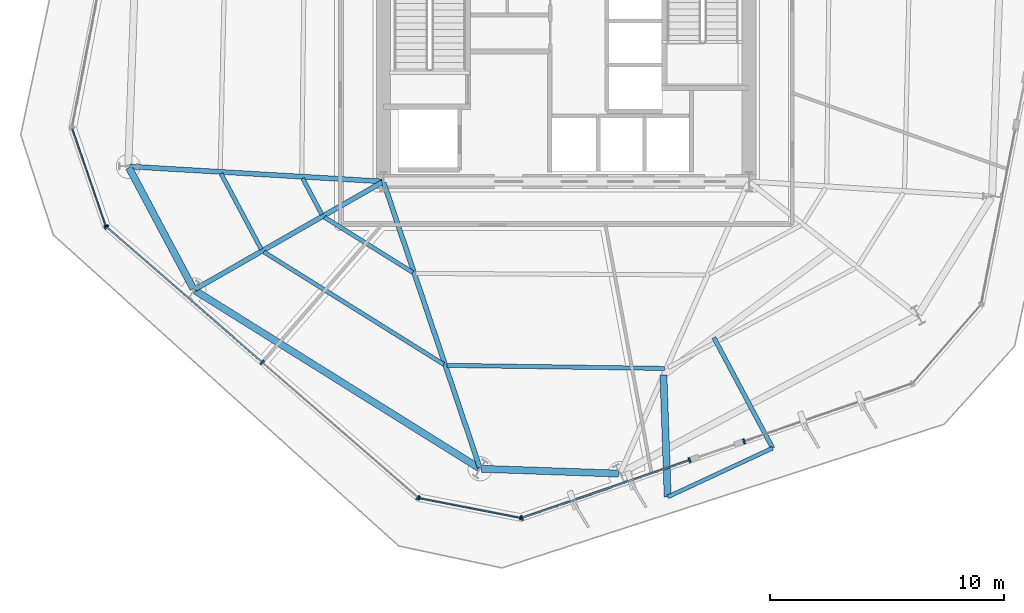
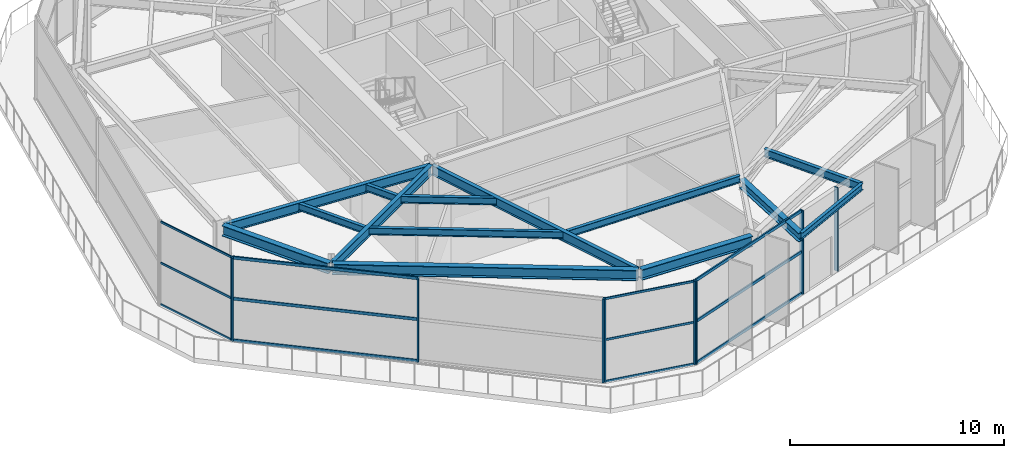
# One storey, part 2 of 16: 21 members, 14 beams, 5 elements without a shape of their own.
"""IFC4 building model written with IfcOpenShell, lengths in metres."""

from ifc_helpers import new_model, si_unit, direction, frame, origin, origin_2d, place, context, subcontext, project, spatial, rectangle, i_section, extrude, material, layer, layer_set, material_profile, profile_set, type_object, element, aggregate, save


model = new_model("IFC4")

# Units and contexts
model_context = context("Model", 3, precision=1e-05, world=origin(), true_north=direction((0.0, 1.0)))
body_context = subcontext(model_context, "Body", "Model", "MODEL_VIEW")
ifc_project = project(units=[si_unit("LENGTHUNIT", "METRE"), si_unit("AREAUNIT", "SQUARE_METRE"), si_unit("VOLUMEUNIT", "CUBIC_METRE"), si_unit("PLANEANGLEUNIT", "RADIAN"), si_unit("MASSUNIT", "GRAM", prefix="KILO")], contexts=[model_context])

# Site, building, storey
site_placement = place(None, origin())
site = spatial("IfcSite", under=ifc_project, at=site_placement, CompositionType="ELEMENT")
building_placement = place(site_placement, origin())
building = spatial("IfcBuilding", under=site, at=building_placement, Name="Kranzbogen Civic Tower", CompositionType="ELEMENT")
storey_placement = place(building_placement, frame((0.0, 0.0, 97.39990234375)))
storey = spatial("IfcBuildingStorey", under=building, at=storey_placement, Name="L23", CompositionType="ELEMENT", Elevation=97.39990234375)

# Beam
ifc_material_1 = material(Name="Steel S355", Category="steel")
ifc_material_profile_1 = material_profile(ifc_material_1, i_section(OverallWidth=0.18994140625, OverallDepth=0.449951171875, WebThickness=0.009521484375, FlangeThickness=0.0146484375, at=origin_2d()), Name="IPE 450")
ifc_profile_set_1 = profile_set([ifc_material_profile_1], Name="Steel S355")
beam_type_1 = type_object("IfcBeamType", Name="Braced Terrace Edge Beam IPE 450", PredefinedType="BEAM", material=ifc_profile_set_1)
beam_1_placement = place(storey_placement, frame((31.30810546875, 11.139892578125, 4.525146484375), z_axis=(0.469514549434, -0.88292473511, 0.0), x_axis=(0.88292473511, 0.469514549434, 0.0)))
element("IfcBeam", 1, at=beam_1_placement, inside=storey, type_object=beam_type_1, Name="L24 back-spanned terrace beam L24-TB1-2", PredefinedType="BEAM", context=body_context, shape_type="SweptSolid", body=[
    extrude(i_section(OverallWidth=0.18994140625, OverallDepth=0.449951171875, WebThickness=0.009521484375, FlangeThickness=0.0146484375, at=origin_2d()), origin(), (0.0, 0.0, 1.0), 5.34814453125),
])

# Curtain wall, member
ifc_material_2 = material(Name="Pale Anodised Aluminium", Category="aluminium")
ifc_layer_1 = layer(ifc_material_2, 0.219970703125, Name="Pale Anodised Aluminium")
ifc_layer_set_1 = layer_set([ifc_layer_1], Name="Pale Anodised Aluminium")
curtain_wall_type_1 = type_object("IfcCurtainWallType", Name="Chamfer Facet Stick Curtain Wall System CW-06", PredefinedType="USERDEFINED", material=ifc_layer_set_1)
curtain_wall_1_placement = place(storey_placement, origin())
curtain_wall_1 = element("IfcCurtainWall", 2, at=curtain_wall_1_placement, inside=storey, type_object=curtain_wall_type_1, Name="L23 curtain wall CW-L23-C3", ObjectType="STICK CURTAIN WALL", PredefinedType="USERDEFINED")
ifc_material_profile_2 = material_profile(ifc_material_2, rectangle(XDim=0.06005859375, YDim=0.159912109375, at=origin_2d()), Name="ALU-M 60x160")
ifc_profile_set_2 = profile_set([ifc_material_profile_2], Name="Pale Anodised Aluminium")
member_type_1 = type_object("IfcMemberType", Name="Curtain Wall Mullion ALU-M 60x160", PredefinedType="MULLION", material=ifc_profile_set_2)
member_1_placement = place(storey_placement, frame((5.351318359375, 15.9013671875, 0.0), z_axis=(0.0, 0.0, 1.0), x_axis=(0.325604710902, -0.945505987415, 0.0)))
member_1 = element("IfcMember", 3, at=member_1_placement, type_object=member_type_1, Name="CW-06 mullion 2", PredefinedType="MULLION", context=body_context, shape_type="SweptSolid", body=[
    extrude(rectangle(XDim=0.06005859375, YDim=0.159912109375, at=origin_2d()), origin(), (0.0, 0.0, 1.0), 4.760009765625),
])

# Curtain wall, members
curtain_wall_2_placement = place(storey_placement, origin())
curtain_wall_2 = element("IfcCurtainWall", 4, at=curtain_wall_2_placement, inside=storey, type_object=curtain_wall_type_1, Name="L23 curtain wall CW-L23-C4", ObjectType="STICK CURTAIN WALL", PredefinedType="USERDEFINED")
member_2_placement = place(storey_placement, frame((18.725341796875, 4.2763671875, 0.0), z_axis=(0.0, 0.0, 1.0), x_axis=(0.981582777116, -0.19103730439, 0.0)))
member_2 = element("IfcMember", 5, at=member_2_placement, type_object=member_type_1, Name="CW-06 mullion 1", PredefinedType="MULLION", context=body_context, shape_type="SweptSolid", body=[
    extrude(rectangle(XDim=0.06005859375, YDim=0.159912109375, at=origin_2d()), origin(), (0.0, 0.0, 1.0), 4.760009765625),
])
member_3_placement = place(storey_placement, frame((23.054443359375, 3.433837890625, 0.0), z_axis=(0.0, 0.0, 1.0), x_axis=(0.981582777116, -0.19103730439, 0.0)))
member_3 = element("IfcMember", 6, at=member_3_placement, type_object=member_type_1, Name="CW-06 mullion 2", PredefinedType="MULLION", context=body_context, shape_type="SweptSolid", body=[
    extrude(rectangle(XDim=0.06005859375, YDim=0.159912109375, at=origin_2d()), origin(), (0.0, 0.0, 1.0), 4.760009765625),
])

ifc_layer_2 = layer(ifc_material_2, 0.219970703125, Name="Pale Anodised Aluminium")
ifc_layer_set_2 = layer_set([ifc_layer_2], Name="Pale Anodised Aluminium")
curtain_wall_type_2 = type_object("IfcCurtainWallType", Name="Zone 2 Stick Curtain Wall System CW-03", PredefinedType="USERDEFINED", material=ifc_layer_set_2)
curtain_wall_3_placement = place(storey_placement, origin())
curtain_wall_3 = element("IfcCurtainWall", 7, at=curtain_wall_3_placement, inside=storey, type_object=curtain_wall_type_2, Name="L23 curtain wall CW-L23-F4", ObjectType="STICK CURTAIN WALL", PredefinedType="USERDEFINED")
ifc_material_profile_3 = material_profile(ifc_material_2, rectangle(XDim=0.074951171875, YDim=0.219970703125, at=origin_2d()), Name="ALU-M 75x220")
ifc_profile_set_3 = profile_set([ifc_material_profile_3], Name="Pale Anodised Aluminium")
member_type_2 = type_object("IfcMemberType", Name="Curtain Wall Mullion ALU-M 75x220", PredefinedType="MULLION", material=ifc_profile_set_3)
member_4_placement = place(storey_placement, frame((5.383544921875, 15.853271484375, 0.0), z_axis=(0.0, 0.0, 1.0), x_axis=(0.754735883979, -0.656028768755, 0.0)))
member_4 = element("IfcMember", 8, at=member_4_placement, type_object=member_type_2, Name="CW-03 mullion 1", PredefinedType="MULLION", context=body_context, shape_type="SweptSolid", body=[
    extrude(rectangle(XDim=0.074951171875, YDim=0.219970703125, at=origin_2d()), origin(), (0.0, 0.0, 1.0), 4.760009765625),
])
member_5_placement = place(storey_placement, frame((12.028564453125, 10.077392578125, 0.0), z_axis=(0.0, 0.0, 1.0), x_axis=(0.754735883979, -0.656028768755, 0.0)))
member_5 = element("IfcMember", 9, at=member_5_placement, type_object=member_type_2, Name="CW-03 mullion 2", PredefinedType="MULLION", context=body_context, shape_type="SweptSolid", body=[
    extrude(rectangle(XDim=0.074951171875, YDim=0.219970703125, at=origin_2d()), origin(), (0.0, 0.0, 1.0), 4.760009765625),
])
member_6_placement = place(storey_placement, frame((18.67333984375, 4.3017578125, 0.0), z_axis=(0.0, 0.0, 1.0), x_axis=(0.754735883979, -0.656028768755, 0.0)))
member_6 = element("IfcMember", 10, at=member_6_placement, type_object=member_type_2, Name="CW-03 mullion 3", PredefinedType="MULLION", context=body_context, shape_type="SweptSolid", body=[
    extrude(rectangle(XDim=0.074951171875, YDim=0.219970703125, at=origin_2d()), origin(), (0.0, 0.0, 1.0), 4.760009765625),
])

curtain_wall_4_placement = place(storey_placement, origin())
curtain_wall_4 = element("IfcCurtainWall", 11, at=curtain_wall_4_placement, inside=storey, type_object=curtain_wall_type_2, Name="L23 curtain wall CW-L23-F5-S1", ObjectType="STICK CURTAIN WALL", PredefinedType="USERDEFINED")
member_7_placement = place(storey_placement, frame((23.1123046875, 3.437744140625, 0.0), z_axis=(0.0, 0.0, 1.0), x_axis=(0.945492633298, 0.325643486622, 0.0)))
member_7 = element("IfcMember", 12, at=member_7_placement, type_object=member_type_2, Name="CW-03 mullion 1", PredefinedType="MULLION", context=body_context, shape_type="SweptSolid", body=[
    extrude(rectangle(XDim=0.074951171875, YDim=0.219970703125, at=origin_2d()), origin(), (0.0, 0.0, 1.0), 4.760009765625),
])
member_8_placement = place(storey_placement, frame((30.273681640625, 5.904296875, 0.0), z_axis=(0.0, 0.0, 1.0), x_axis=(0.945492633298, 0.325643486622, 0.0)))
member_8 = element("IfcMember", 13, at=member_8_placement, type_object=member_type_2, Name="CW-03 mullion 2", PredefinedType="MULLION", context=body_context, shape_type="SweptSolid", body=[
    extrude(rectangle(XDim=0.074951171875, YDim=0.219970703125, at=origin_2d()), origin(), (0.0, 0.0, 1.0), 4.760009765625),
])

# Curtain wall, member
curtain_wall_5_placement = place(storey_placement, origin())
curtain_wall_5 = element("IfcCurtainWall", 14, at=curtain_wall_5_placement, inside=storey, type_object=curtain_wall_type_2, Name="L23 curtain wall CW-L23-F5-S2", ObjectType="STICK CURTAIN WALL", PredefinedType="USERDEFINED")
member_9_placement = place(storey_placement, frame((32.599365234375, 6.704833984375, 0.0), z_axis=(0.0, 0.0, 1.0), x_axis=(0.945506521479, 0.325603160059, 0.0)))
member_9 = element("IfcMember", 15, at=member_9_placement, type_object=member_type_2, Name="CW-03 mullion 1", PredefinedType="MULLION", context=body_context, shape_type="SweptSolid", body=[
    extrude(rectangle(XDim=0.074951171875, YDim=0.219970703125, at=origin_2d()), origin(), (0.0, 0.0, 1.0), 4.760009765625),
])
aggregate(curtain_wall_5, [member_9])

# Member
ifc_material_profile_4 = material_profile(ifc_material_2, rectangle(XDim=0.06005859375, YDim=0.1201171875, at=origin_2d()), Name="ALU-T 60x120")
ifc_profile_set_4 = profile_set([ifc_material_profile_4], Name="Pale Anodised Aluminium")
member_type_3 = type_object("IfcMemberType", Name="Curtain Wall Transom ALU-T 60x120", PredefinedType="USERDEFINED", material=ifc_profile_set_4)
member_10_placement = place(storey_placement, frame((3.924560546875, 20.044189453125, 0.030029296875), z_axis=(0.325620654122, -0.945500496885, 0.0), x_axis=(0.945500496885, 0.325620654122, 0.0)))
member_10 = element("IfcMember", 16, at=member_10_placement, type_object=member_type_3, Name="CW-06 transom 1.1", ObjectType="TRANSOM", PredefinedType="USERDEFINED", context=body_context, shape_type="SweptSolid", body=[
    extrude(rectangle(XDim=0.06005859375, YDim=0.1201171875, at=origin_2d()), origin(), (0.0, 0.0, 1.0), 4.3515625),
])

member_11_placement = place(storey_placement, frame((3.924560546875, 20.044189453125, 2.400146484375), z_axis=(0.325620654122, -0.945500496885, 0.0), x_axis=(0.945500496885, 0.325620654122, 0.0)))
member_11 = element("IfcMember", 17, at=member_11_placement, type_object=member_type_3, Name="CW-06 transom 1.2", ObjectType="TRANSOM", PredefinedType="USERDEFINED", context=body_context, shape_type="SweptSolid", body=[
    extrude(rectangle(XDim=0.06005859375, YDim=0.1201171875, at=origin_2d()), origin(), (0.0, 0.0, 1.0), 4.3515625),
])

member_12_placement = place(storey_placement, frame((3.924560546875, 20.044189453125, 4.72998046875), z_axis=(0.325620654122, -0.945500496885, 0.0), x_axis=(0.945500496885, 0.325620654122, 0.0)))
member_12 = element("IfcMember", 18, at=member_12_placement, type_object=member_type_3, Name="CW-06 transom 1.3", ObjectType="TRANSOM", PredefinedType="USERDEFINED", context=body_context, shape_type="SweptSolid", body=[
    extrude(rectangle(XDim=0.06005859375, YDim=0.1201171875, at=origin_2d()), origin(), (0.0, 0.0, 1.0), 4.3515625),
])

aggregate(curtain_wall_1, [member_1, member_10, member_11, member_12])

member_13_placement = place(storey_placement, frame((18.7548828125, 4.2705078125, 0.030029296875), z_axis=(0.981584124899, -0.191030379118, 0.0), x_axis=(0.191030379118, 0.981584124899, 0.0)))
member_13 = element("IfcMember", 19, at=member_13_placement, type_object=member_type_3, Name="CW-06 transom 1.1", ObjectType="TRANSOM", PredefinedType="USERDEFINED", context=body_context, shape_type="SweptSolid", body=[
    extrude(rectangle(XDim=0.06005859375, YDim=0.1201171875, at=origin_2d()), origin(), (0.0, 0.0, 1.0), 4.350341796875),
])

member_14_placement = place(storey_placement, frame((18.7548828125, 4.2705078125, 2.400146484375), z_axis=(0.981584124899, -0.191030379118, 0.0), x_axis=(0.191030379118, 0.981584124899, 0.0)))
member_14 = element("IfcMember", 20, at=member_14_placement, type_object=member_type_3, Name="CW-06 transom 1.2", ObjectType="TRANSOM", PredefinedType="USERDEFINED", context=body_context, shape_type="SweptSolid", body=[
    extrude(rectangle(XDim=0.06005859375, YDim=0.1201171875, at=origin_2d()), origin(), (0.0, 0.0, 1.0), 4.350341796875),
])

member_15_placement = place(storey_placement, frame((18.7548828125, 4.2705078125, 4.72998046875), z_axis=(0.981584124899, -0.191030379118, 0.0), x_axis=(0.191030379118, 0.981584124899, 0.0)))
member_15 = element("IfcMember", 21, at=member_15_placement, type_object=member_type_3, Name="CW-06 transom 1.3", ObjectType="TRANSOM", PredefinedType="USERDEFINED", context=body_context, shape_type="SweptSolid", body=[
    extrude(rectangle(XDim=0.06005859375, YDim=0.1201171875, at=origin_2d()), origin(), (0.0, 0.0, 1.0), 4.350341796875),
])

aggregate(curtain_wall_2, [member_2, member_3, member_13, member_14, member_15])

ifc_material_profile_5 = material_profile(ifc_material_2, rectangle(XDim=0.074951171875, YDim=0.1650390625, at=origin_2d()), Name="ALU-T 75x165")
ifc_profile_set_5 = profile_set([ifc_material_profile_5], Name="Pale Anodised Aluminium")
member_type_4 = type_object("IfcMemberType", Name="Curtain Wall Transom ALU-T 75x165", PredefinedType="USERDEFINED", material=ifc_profile_set_5)
member_16_placement = place(storey_placement, frame((5.40625, 15.833740234375, 0.030029296875), z_axis=(0.754731132923, -0.656034234622, 0.0), x_axis=(0.656034234622, 0.754731132923, 0.0)))
member_16 = element("IfcMember", 22, at=member_16_placement, type_object=member_type_4, Name="CW-03 transom 1.1", ObjectType="TRANSOM", PredefinedType="USERDEFINED", context=body_context, shape_type="SweptSolid", body=[
    extrude(rectangle(XDim=0.074951171875, YDim=0.1650390625, at=origin_2d()), origin(), (0.0, 0.0, 1.0), 8.744384765625),
])

member_17_placement = place(storey_placement, frame((5.40625, 15.833740234375, 2.400146484375), z_axis=(0.754731132923, -0.656034234622, 0.0), x_axis=(0.656034234622, 0.754731132923, 0.0)))
member_17 = element("IfcMember", 23, at=member_17_placement, type_object=member_type_4, Name="CW-03 transom 1.2", ObjectType="TRANSOM", PredefinedType="USERDEFINED", context=body_context, shape_type="SweptSolid", body=[
    extrude(rectangle(XDim=0.074951171875, YDim=0.1650390625, at=origin_2d()), origin(), (0.0, 0.0, 1.0), 8.744384765625),
])

member_18_placement = place(storey_placement, frame((5.40625, 15.833740234375, 4.72998046875), z_axis=(0.754731132923, -0.656034234622, 0.0), x_axis=(0.656034234622, 0.754731132923, 0.0)))
member_18 = element("IfcMember", 24, at=member_18_placement, type_object=member_type_4, Name="CW-03 transom 1.3", ObjectType="TRANSOM", PredefinedType="USERDEFINED", context=body_context, shape_type="SweptSolid", body=[
    extrude(rectangle(XDim=0.074951171875, YDim=0.1650390625, at=origin_2d()), origin(), (0.0, 0.0, 1.0), 8.744384765625),
])

aggregate(curtain_wall_3, [member_4, member_5, member_6, member_16, member_17, member_18])

member_19_placement = place(storey_placement, frame((23.140625, 3.447509765625, 0.030029296875), z_axis=(0.945491347174, 0.325647220808, 0.0), x_axis=(-0.325647220808, 0.945491347174, 0.0)))
member_19 = element("IfcMember", 25, at=member_19_placement, type_object=member_type_4, Name="CW-03 transom 1.1", ObjectType="TRANSOM", PredefinedType="USERDEFINED", context=body_context, shape_type="SweptSolid", body=[
    extrude(rectangle(XDim=0.074951171875, YDim=0.1650390625, at=origin_2d()), origin(), (0.0, 0.0, 1.0), 7.514404296875),
])

member_20_placement = place(storey_placement, frame((23.140625, 3.447509765625, 2.400146484375), z_axis=(0.945491347174, 0.325647220808, 0.0), x_axis=(-0.325647220808, 0.945491347174, 0.0)))
member_20 = element("IfcMember", 26, at=member_20_placement, type_object=member_type_4, Name="CW-03 transom 1.2", ObjectType="TRANSOM", PredefinedType="USERDEFINED", context=body_context, shape_type="SweptSolid", body=[
    extrude(rectangle(XDim=0.074951171875, YDim=0.1650390625, at=origin_2d()), origin(), (0.0, 0.0, 1.0), 7.514404296875),
])

member_21_placement = place(storey_placement, frame((23.140625, 3.447509765625, 4.72998046875), z_axis=(0.945491347174, 0.325647220808, 0.0), x_axis=(-0.325647220808, 0.945491347174, 0.0)))
member_21 = element("IfcMember", 27, at=member_21_placement, type_object=member_type_4, Name="CW-03 transom 1.3", ObjectType="TRANSOM", PredefinedType="USERDEFINED", context=body_context, shape_type="SweptSolid", body=[
    extrude(rectangle(XDim=0.074951171875, YDim=0.1650390625, at=origin_2d()), origin(), (0.0, 0.0, 1.0), 7.514404296875),
])

aggregate(curtain_wall_4, [member_7, member_8, member_19, member_20, member_21])

# Beams
ifc_material_profile_6 = material_profile(ifc_material_1, i_section(OverallWidth=0.300048828125, OverallDepth=0.5, WebThickness=0.014404296875, FlangeThickness=0.028076171875, at=origin_2d()), Name="HEB 500")
ifc_profile_set_6 = profile_set([ifc_material_profile_6], Name="Steel S355")
beam_type_2 = type_object("IfcBeamType", Name="Perimeter Tube Spandrel Beam HEB 500", PredefinedType="SPANDREL", material=ifc_profile_set_6)
beam_2_placement = place(storey_placement, frame((29.156982421875, 9.537109375, 4.5), z_axis=(0.034735124116, -0.999396553502, 0.0), x_axis=(0.999396553502, 0.034735124116, 0.0)))
element("IfcBeam", 28, at=beam_2_placement, inside=storey, type_object=beam_type_2, Name="L24 back-spanned terrace beam L24-TB1-1", PredefinedType="SPANDREL", context=body_context, shape_type="SweptSolid", body=[
    extrude(i_section(OverallWidth=0.300048828125, OverallDepth=0.5, WebThickness=0.014404296875, FlangeThickness=0.028076171875, at=origin_2d()), origin(), (0.0, 0.0, 1.0), 5.208251953125),
])
ifc_material_profile_7 = material_profile(ifc_material_1, i_section(OverallWidth=0.300048828125, OverallDepth=0.60009765625, WebThickness=0.015380859375, FlangeThickness=0.030029296875, at=origin_2d()), Name="HEB 600")
ifc_profile_set_7 = profile_set([ifc_material_profile_7], Name="Steel S355")
beam_type_3 = type_object("IfcBeamType", Name="Perimeter Tube Spandrel Beam HEB 600", PredefinedType="SPANDREL", material=ifc_profile_set_7)
beam_3_placement = place(storey_placement, frame((6.337890625, 18.39111328125, 4.460205078125), z_axis=(0.469565926668, -0.882897412224, 0.0), x_axis=(0.882897412224, 0.469565926668, 0.0)))
element("IfcBeam", 29, at=beam_3_placement, inside=storey, type_object=beam_type_3, Name="L23 perimeter spandrel beam 01", PredefinedType="SPANDREL", context=body_context, shape_type="SweptSolid", body=[
    extrude(i_section(OverallWidth=0.300048828125, OverallDepth=0.60009765625, WebThickness=0.015380859375, FlangeThickness=0.030029296875, at=origin_2d()), origin(), (0.0, 0.0, 1.0), 5.852294921875),
])
beam_4_placement = place(storey_placement, frame((9.1650390625, 13.138916015625, 4.460205078125), z_axis=(0.848051101349, -0.52991445489, 0.0), x_axis=(0.52991445489, 0.848051101349, 0.0)))
element("IfcBeam", 30, at=beam_4_placement, inside=storey, type_object=beam_type_3, Name="L23 perimeter spandrel beam 02", PredefinedType="SPANDREL", context=body_context, shape_type="SweptSolid", body=[
    extrude(i_section(OverallWidth=0.300048828125, OverallDepth=0.60009765625, WebThickness=0.015380859375, FlangeThickness=0.030029296875, at=origin_2d()), origin(), (0.0, 0.0, 1.0), 14.286865234375),
])
beam_5_placement = place(storey_placement, frame((21.39208984375, 5.533935546875, 4.460205078125), z_axis=(0.999393148233, -0.03483296234, 0.0), x_axis=(0.03483296234, 0.999393148233, 0.0)))
element("IfcBeam", 31, at=beam_5_placement, inside=storey, type_object=beam_type_3, Name="L23 perimeter spandrel beam 03", PredefinedType="SPANDREL", context=body_context, shape_type="SweptSolid", body=[
    extrude(i_section(OverallWidth=0.300048828125, OverallDepth=0.60009765625, WebThickness=0.015380859375, FlangeThickness=0.030029296875, at=origin_2d()), origin(), (0.0, 0.0, 1.0), 5.8525390625),
])
ifc_material_profile_8 = material_profile(ifc_material_1, i_section(OverallWidth=0.2099609375, OverallDepth=0.550048828125, WebThickness=0.010986328125, FlangeThickness=0.01708984375, at=origin_2d()), Name="IPE 550")
ifc_profile_set_8 = profile_set([ifc_material_profile_8], Name="Steel S355")
beam_type_4 = type_object("IfcBeamType", Name="Radial Tower Floor Girder IPE 550", PredefinedType="BEAM", material=ifc_profile_set_8)
beam_6_placement = place(storey_placement, frame((6.3701171875, 18.43994140625, 4.485107421875), z_axis=(0.998260925387, -0.058950189528, 0.0), x_axis=(0.058950189528, 0.998260925387, 0.0)))
element("IfcBeam", 32, at=beam_6_placement, inside=storey, type_object=beam_type_4, Name="L23 radial floor girder 01", PredefinedType="BEAM", context=body_context, shape_type="SweptSolid", body=[
    extrude(i_section(OverallWidth=0.2099609375, OverallDepth=0.550048828125, WebThickness=0.010986328125, FlangeThickness=0.01708984375, at=origin_2d()), origin(), (0.0, 0.0, 1.0), 10.78857421875),
])
beam_7_placement = place(storey_placement, frame((9.166015625, 13.200927734375, 4.485107421875), z_axis=(0.867868812182, 0.496793442833, 0.0), x_axis=(-0.496793442833, 0.867868812182, 0.0)))
element("IfcBeam", 33, at=beam_7_placement, inside=storey, type_object=beam_type_4, Name="L23 radial floor girder 02", PredefinedType="BEAM", context=body_context, shape_type="SweptSolid", body=[
    extrude(i_section(OverallWidth=0.2099609375, OverallDepth=0.550048828125, WebThickness=0.010986328125, FlangeThickness=0.01708984375, at=origin_2d()), origin(), (0.0, 0.0, 1.0), 9.197265625),
])
beam_8_placement = place(storey_placement, frame((21.31298828125, 5.593017578125, 4.485107421875), z_axis=(-0.319316617377, 0.947648087566, 0.0), x_axis=(-0.947648087566, -0.319316617377, 0.0)))
element("IfcBeam", 34, at=beam_8_placement, inside=storey, type_object=beam_type_4, Name="L23 radial floor girder 03", PredefinedType="BEAM", context=body_context, shape_type="SweptSolid", body=[
    extrude(i_section(OverallWidth=0.2099609375, OverallDepth=0.550048828125, WebThickness=0.010986328125, FlangeThickness=0.01708984375, at=origin_2d()), origin(), (0.0, 0.0, 1.0), 12.821044921875),
])
ifc_material_profile_9 = material_profile(ifc_material_1, i_section(OverallWidth=0.169921875, OverallDepth=0.360107421875, WebThickness=0.008056640625, FlangeThickness=0.0126953125, at=origin_2d()), Name="IPE 360")
ifc_profile_set_9 = profile_set([ifc_material_profile_9], Name="Steel S355")
beam_type_5 = type_object("IfcBeamType", Name="Secondary Composite Floor Joist IPE 360", PredefinedType="JOIST", material=ifc_profile_set_9)
beam_9_placement = place(storey_placement, frame((29.337890625, 4.33203125, 4.570068359375), z_axis=(0.906592812899, 0.422006482888, 0.0), x_axis=(-0.422006482888, 0.906592812899, 0.0)))
element("IfcBeam", 35, at=beam_9_placement, inside=storey, type_object=beam_type_5, Name="L24 terrace outer edge trimmer L24-TB1", PredefinedType="JOIST", context=body_context, shape_type="SweptSolid", body=[
    extrude(i_section(OverallWidth=0.169921875, OverallDepth=0.360107421875, WebThickness=0.008056640625, FlangeThickness=0.0126953125, at=origin_2d()), origin(), (0.0, 0.0, 1.0), 4.94287109375),
])
ifc_material_profile_10 = material_profile(ifc_material_1, i_section(OverallWidth=0.179931640625, OverallDepth=0.39990234375, WebThickness=0.008544921875, FlangeThickness=0.013427734375, at=origin_2d()), Name="IPE 400")
ifc_profile_set_10 = profile_set([ifc_material_profile_10], Name="Steel S355")
beam_type_6 = type_object("IfcBeamType", Name="Secondary Composite Floor Joist IPE 400", PredefinedType="JOIST", material=ifc_profile_set_10)
beam_10_placement = place(storey_placement, frame((10.26806640625, 18.14208984375, 4.56005859375), z_axis=(0.469338791783, -0.88301817565, 0.0), x_axis=(0.88301817565, 0.469338791783, 0.0)))
element("IfcBeam", 36, at=beam_10_placement, inside=storey, type_object=beam_type_6, Name="L23 secondary floor joist 1.01", PredefinedType="JOIST", context=body_context, shape_type="SweptSolid", body=[
    extrude(i_section(OverallWidth=0.179931640625, OverallDepth=0.39990234375, WebThickness=0.008544921875, FlangeThickness=0.013427734375, at=origin_2d()), origin(), (0.0, 0.0, 1.0), 3.66259765625),
])
beam_11_placement = place(storey_placement, frame((13.7529296875, 17.93505859375, 4.56005859375), z_axis=(0.46943723363, -0.882965845139, 0.0), x_axis=(0.882965845139, 0.46943723363, 0.0)))
element("IfcBeam", 37, at=beam_11_placement, inside=storey, type_object=beam_type_6, Name="L23 secondary floor joist 2.01", PredefinedType="JOIST", context=body_context, shape_type="SweptSolid", body=[
    extrude(i_section(OverallWidth=0.179931640625, OverallDepth=0.39990234375, WebThickness=0.008544921875, FlangeThickness=0.013427734375, at=origin_2d()), origin(), (0.0, 0.0, 1.0), 1.7509765625),
])
beam_12_placement = place(storey_placement, frame((12.093017578125, 14.794921875, 4.56005859375), z_axis=(0.848025549308, -0.529955345026, 0.0), x_axis=(0.529955345026, 0.848025549308, 0.0)))
element("IfcBeam", 38, at=beam_12_placement, inside=storey, type_object=beam_type_6, Name="L23 secondary floor joist 1.02", PredefinedType="JOIST", context=body_context, shape_type="SweptSolid", body=[
    extrude(i_section(OverallWidth=0.179931640625, OverallDepth=0.39990234375, WebThickness=0.008544921875, FlangeThickness=0.013427734375, at=origin_2d()), origin(), (0.0, 0.0, 1.0), 9.06103515625),
])
beam_13_placement = place(storey_placement, frame((14.679931640625, 16.27587890625, 4.56005859375), z_axis=(0.848093834398, -0.529846060716, 0.0), x_axis=(0.529846060716, 0.848093834398, 0.0)))
element("IfcBeam", 39, at=beam_13_placement, inside=storey, type_object=beam_type_6, Name="L23 secondary floor joist 2.02", PredefinedType="JOIST", context=body_context, shape_type="SweptSolid", body=[
    extrude(i_section(OverallWidth=0.179931640625, OverallDepth=0.39990234375, WebThickness=0.008544921875, FlangeThickness=0.013427734375, at=origin_2d()), origin(), (0.0, 0.0, 1.0), 4.4501953125),
])
beam_14_placement = place(storey_placement, frame((19.924072265625, 9.949951171875, 4.56005859375), z_axis=(0.999900525148, -0.014104602386, 0.0), x_axis=(0.014104602386, 0.999900525148, 0.0)))
element("IfcBeam", 40, at=beam_14_placement, inside=storey, type_object=beam_type_6, Name="L23 secondary floor joist 1.03", PredefinedType="JOIST", context=body_context, shape_type="SweptSolid", body=[
    extrude(i_section(OverallWidth=0.179931640625, OverallDepth=0.39990234375, WebThickness=0.008544921875, FlangeThickness=0.013427734375, at=origin_2d()), origin(), (0.0, 0.0, 1.0), 9.27783203125),
])

save(model, "model.ifc")
